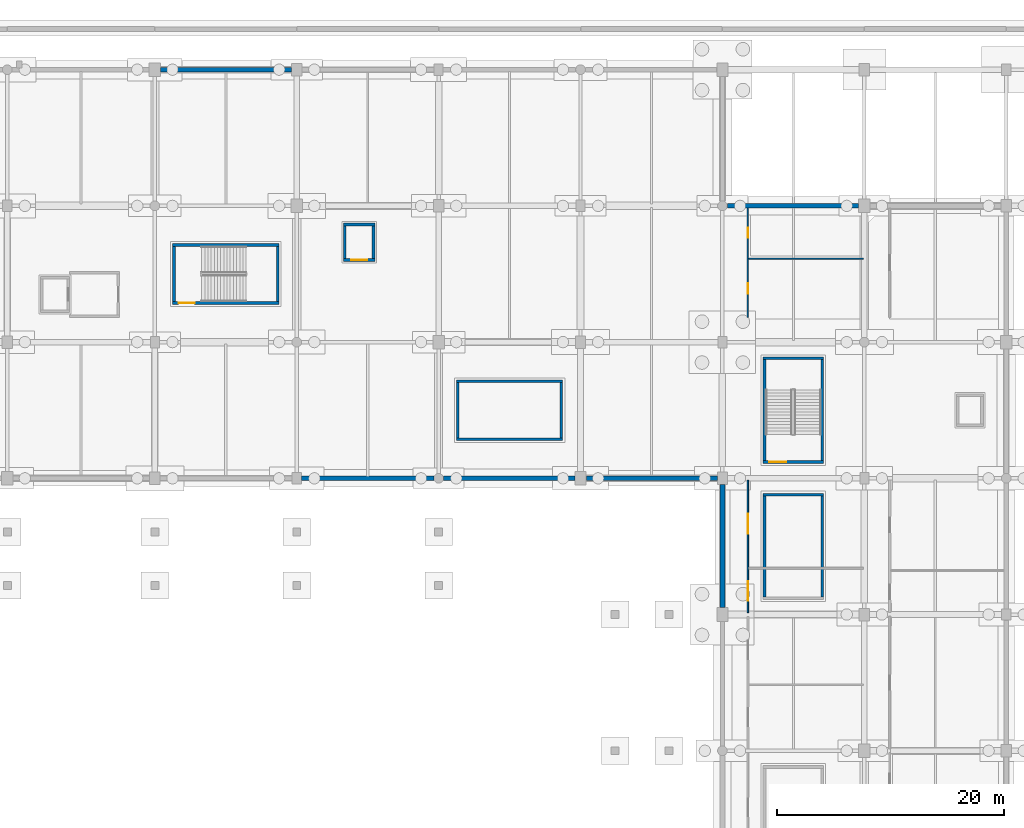
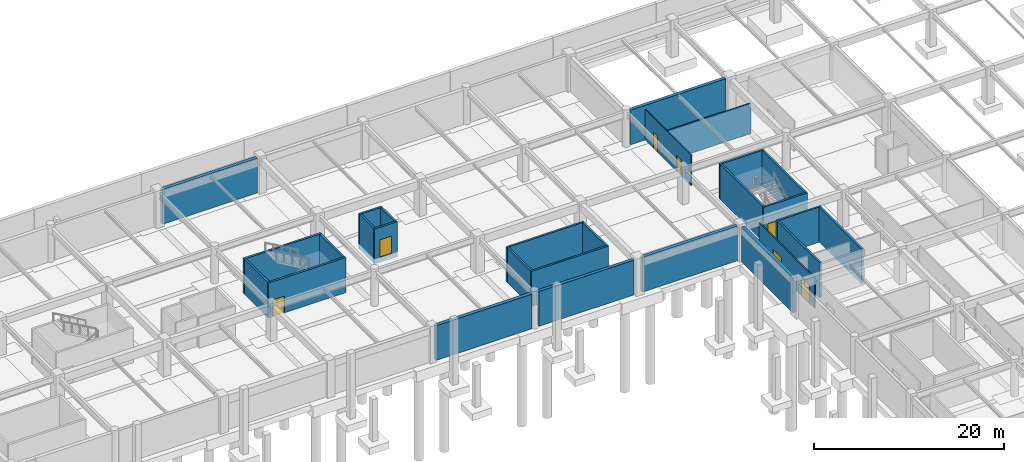
# One storey, part 38 of 56: 28 walls, 7 doors, 7 openings.
"""IFC4 building model written with IfcOpenShell, lengths in metres."""

from ifc_helpers import new_model, si_unit, direction, frame, frame_2d, origin, place, context, subcontext, project, spatial, rectangle, extrude, material, layer, layer_set, type_object, element, fill, save


model = new_model("IFC4")

# Units and contexts
model_context = context("Model", 3, precision=1e-05, world=origin(), true_north=direction((0.0, 1.0)))
body_context = subcontext(model_context, "Body", "Model", "MODEL_VIEW")
ifc_project = project(units=[si_unit("LENGTHUNIT", "METRE"), si_unit("AREAUNIT", "SQUARE_METRE"), si_unit("VOLUMEUNIT", "CUBIC_METRE"), si_unit("PLANEANGLEUNIT", "RADIAN"), si_unit("MASSUNIT", "GRAM", prefix="KILO")], contexts=[model_context])

# Site, building, storey
site_placement = place(None, origin())
site = spatial("IfcSite", under=ifc_project, at=site_placement, CompositionType="ELEMENT")
building_placement = place(site_placement, origin())
building = spatial("IfcBuilding", under=site, at=building_placement, Name="Kazenohara Klinker Stadium", CompositionType="ELEMENT")
storey_placement = place(building_placement, frame((0.0, 0.0, -4.800048828125)))
storey = spatial("IfcBuildingStorey", under=building, at=storey_placement, Name="B01", CompositionType="ELEMENT", Elevation=-4.800048828125)

# Walls
ifc_material_1 = material(Name="Concrete C40/50", Category="concrete")
ifc_layer_1 = layer(ifc_material_1, 0.3798828125)
ifc_layer_set_1 = layer_set([ifc_layer_1], Name="Concrete C40/50")
wall_type_1 = type_object("IfcWallType", Name="WAL-B01-RET380", PredefinedType="STANDARD", material=ifc_layer_set_1)
for number, where, z_axis, x_axis, name in (
    (1, (150.428955078125, 132.0, 0.0), (0.0, 0.0, 1.0), (1.0, 0.0, 0.0), "Basement perimeter retaining wall RW02 X-12-11"),
    (2, (175.428955078125, 156.0, 0.0), (0.0, 0.0, 1.0), (1.0, 0.0, 0.0), "Basement perimeter retaining wall RW02 X-14-13"),
):
    element("IfcWall", number, at=place(storey_placement, frame(where, z_axis=z_axis, x_axis=x_axis)), inside=storey, type_object=wall_type_1, Name=name, PredefinedType="STANDARD", context=body_context, shape_type="SweptSolid", body=[
        extrude(rectangle(XDim=11.567138671875, YDim=0.3798828125, at=frame_2d((5.78369140625, 0.0))), origin(), (0.0, 0.0, 1.0), 4.4599609375),
    ])
ifc_layer_2 = layer(ifc_material_1, 0.419921875)
ifc_layer_set_2 = layer_set([ifc_layer_2], Name="Concrete C40/50")
wall_type_2 = type_object("IfcWallType", Name="WAL-B01-RET420", PredefinedType="STANDARD", material=ifc_layer_set_2)
wall_1_placement = place(storey_placement, frame((125.50390625, 168.0, 0.0), z_axis=(0.0, 0.0, 1.0), x_axis=(1.0, 0.0, 0.0)))
element("IfcWall", 3, at=wall_1_placement, inside=storey, type_object=wall_type_2, Name="Basement perimeter retaining wall RW01 X-10-14", PredefinedType="STANDARD", context=body_context, shape_type="SweptSolid", body=[
    extrude(rectangle(XDim=11.5419921875, YDim=0.419921875, at=frame_2d((5.77099609375, 0.0))), origin(), (0.0, 0.0, 1.0), 4.4599609375),
])
wall_2_placement = place(storey_placement, frame((137.904052734375, 132.0, 0.0), z_axis=(0.0, 0.0, 1.0), x_axis=(1.0, 0.0, 0.0)))
element("IfcWall", 4, at=wall_2_placement, inside=storey, type_object=wall_type_2, Name="Basement perimeter retaining wall RW01 X-11-11", PredefinedType="STANDARD", context=body_context, shape_type="SweptSolid", body=[
    extrude(rectangle(XDim=11.6669921875, YDim=0.419921875, at=frame_2d((5.83349609375, 0.0))), origin(), (0.0, 0.0, 1.0), 4.4599609375),
])
wall_3_placement = place(storey_placement, frame((163.00390625, 132.0, 0.0), z_axis=(0.0, 0.0, 1.0), x_axis=(1.0, 0.0, 0.0)))
element("IfcWall", 5, at=wall_3_placement, inside=storey, type_object=wall_type_2, Name="Basement perimeter retaining wall RW01 X-13-11", PredefinedType="STANDARD", context=body_context, shape_type="SweptSolid", body=[
    extrude(rectangle(XDim=11.5419921875, YDim=0.419921875, at=frame_2d((5.77099609375, 0.0))), origin(), (0.0, 0.0, 1.0), 4.4599609375),
])
wall_4_placement = place(storey_placement, frame((175.0, 120.60400390625, 0.0), z_axis=(0.0, 0.0, 1.0), x_axis=(0.0, 1.0, 0.0)))
element("IfcWall", 6, at=wall_4_placement, inside=storey, type_object=wall_type_2, Name="Basement perimeter retaining wall RW01 Y-14-10", PredefinedType="STANDARD", context=body_context, shape_type="SweptSolid", body=[
    extrude(rectangle(XDim=10.842041015625, YDim=0.419921875, at=frame_2d((5.4208984375, 0.0))), origin(), (0.0, 0.0, 1.0), 4.4599609375),
])

# Wall, opening, door
ifc_layer_3 = layer(ifc_material_1, 0.22998046875)
ifc_layer_set_3 = layer_set([ifc_layer_3], Name="Concrete C40/50")
wall_type_3 = type_object("IfcWallType", Name="WAL-CORE-230", PredefinedType="SHEAR", material=ifc_layer_set_3)
wall_5_placement = place(storey_placement, frame((178.590087890625, 133.43505859375, 0.0), z_axis=(0.0, 0.0, 1.0), x_axis=(1.0, 0.0, 0.0)))
wall_5 = element("IfcWall", 7, at=wall_5_placement, inside=storey, type_object=wall_type_3, Name="Stairwell shear wall ST12 B01 South", PredefinedType="SHEAR", context=body_context, shape_type="SweptSolid", body=[
    extrude(rectangle(XDim=5.31982421875, YDim=0.22998046875, at=frame_2d((2.659912109375, 0.0))), origin(), (0.0, 0.0, 1.0), 4.5),
])
opening_1_placement = place(wall_5_placement, frame((0.550048828125, 0.0, 0.0)))
opening_1 = element("IfcOpeningElement", 8, at=opening_1_placement, cuts=wall_5, Name="Opening SD02", PredefinedType="OPENING", context=body_context, shape_type="SweptSolid", body=[
    extrude(rectangle(XDim=1.5, YDim=2.199951171875, at=frame_2d((0.75, 1.10009765625))), frame((0.0, 0.125, 0.0), z_axis=(0.0, -1.0, 0.0), x_axis=(1.0, 0.0, 0.0)), (0.0, 0.0, 1.0), 0.25),
])
ifc_material_2 = material(Name="Flush painted steel fire door leaf", Category="steel")
door_type_1 = type_object("IfcDoorType", Name="DR-STR-1500x2200", OperationType="NOTDEFINED", PredefinedType="DOOR", material=ifc_material_2)
door_1_placement = place(opening_1_placement, origin())
door_1 = element("IfcDoor", 9, at=door_1_placement, inside=storey, type_object=door_type_1, Name="Escape stairwell fire door ST12-B01", OperationType="SINGLE_SWING_RIGHT", OverallHeight=2.199951171875, OverallWidth=1.5, PredefinedType="DOOR", context=body_context, shape_type="SweptSolid", body=[
    extrude(rectangle(XDim=1.5, YDim=2.199951171875, at=frame_2d((0.75, 1.10009765625))), frame((0.0, 0.02490234375, 0.0), z_axis=(0.0, -1.0, 0.0), x_axis=(1.0, 0.0, 0.0)), (0.0, 0.0, 1.0), 0.050048828125),
])
fill(opening_1, door_1)

# Walls
wall_6_placement = place(storey_placement, frame((178.590087890625, 142.56494140625, 0.0), z_axis=(0.0, 0.0, 1.0), x_axis=(1.0, 0.0, 0.0)))
element("IfcWall", 10, at=wall_6_placement, inside=storey, type_object=wall_type_3, Name="Stairwell shear wall ST12 B01 North", PredefinedType="SHEAR", context=body_context, shape_type="SweptSolid", body=[
    extrude(rectangle(XDim=5.31982421875, YDim=0.22998046875, at=frame_2d((2.659912109375, 0.0))), origin(), (0.0, 0.0, 1.0), 4.5),
])
for number, where, z_axis, x_axis, name in (
    (11, (178.705078125, 133.550048828125, 0.0), (0.0, 0.0, 1.0), (0.0, 1.0, 0.0), "Stairwell shear wall ST12 B01 West"),
    (12, (183.794921875, 133.550048828125, 0.0), (0.0, 0.0, 1.0), (0.0, 1.0, 0.0), "Stairwell shear wall ST12 B01 East"),
):
    element("IfcWall", number, at=place(storey_placement, frame(where, z_axis=z_axis, x_axis=x_axis)), inside=storey, type_object=wall_type_3, Name=name, PredefinedType="SHEAR", context=body_context, shape_type="SweptSolid", body=[
        extrude(rectangle(XDim=8.89990234375, YDim=0.22998046875, at=frame_2d((4.449951171875, 0.0))), origin(), (0.0, 0.0, 1.0), 4.5),
    ])
for number, where, z_axis, x_axis, name in (
    (13, (151.570068359375, 135.455078125, 0.0), (0.0, 0.0, 1.0), (1.0, 0.0, 0.0), "Stairwell shear wall ST20 B01 South"),
    (14, (151.570068359375, 140.544921875, 0.0), (0.0, 0.0, 1.0), (1.0, 0.0, 0.0), "Stairwell shear wall ST20 B01 North"),
):
    element("IfcWall", number, at=place(storey_placement, frame(where, z_axis=z_axis, x_axis=x_axis)), inside=storey, type_object=wall_type_3, Name=name, PredefinedType="SHEAR", context=body_context, shape_type="SweptSolid", body=[
        extrude(rectangle(XDim=9.35986328125, YDim=0.22998046875, at=frame_2d((4.679931640625, 0.0))), origin(), (0.0, 0.0, 1.0), 4.5),
    ])
for number, where, z_axis, x_axis, name in (
    (15, (151.68505859375, 135.570068359375, 0.0), (0.0, 0.0, 1.0), (0.0, 1.0, 0.0), "Stairwell shear wall ST20 B01 West"),
    (16, (160.81494140625, 135.570068359375, 0.0), (0.0, 0.0, 1.0), (0.0, 1.0, 0.0), "Stairwell shear wall ST20 B01 East"),
):
    element("IfcWall", number, at=place(storey_placement, frame(where, z_axis=z_axis, x_axis=x_axis)), inside=storey, type_object=wall_type_3, Name=name, PredefinedType="SHEAR", context=body_context, shape_type="SweptSolid", body=[
        extrude(rectangle(XDim=4.85986328125, YDim=0.22998046875, at=frame_2d((2.429931640625, 0.0))), origin(), (0.0, 0.0, 1.0), 4.5),
    ])
wall_7_placement = place(storey_placement, frame((178.590087890625, 130.56494140625, 0.0), z_axis=(0.0, 0.0, 1.0), x_axis=(1.0, 0.0, 0.0)))
element("IfcWall", 17, at=wall_7_placement, inside=storey, type_object=wall_type_3, Name="Stairwell shear wall ST24 B01 North", PredefinedType="SHEAR", context=body_context, shape_type="SweptSolid", body=[
    extrude(rectangle(XDim=5.31982421875, YDim=0.22998046875, at=frame_2d((2.659912109375, 0.0))), origin(), (0.0, 0.0, 1.0), 4.5),
])
for number, where, z_axis, x_axis, name in (
    (18, (178.705078125, 121.550048828125, 0.0), (0.0, 0.0, 1.0), (0.0, 1.0, 0.0), "Stairwell shear wall ST24 B01 West"),
    (19, (183.794921875, 121.550048828125, 0.0), (0.0, 0.0, 1.0), (0.0, 1.0, 0.0), "Stairwell shear wall ST24 B01 East"),
):
    element("IfcWall", number, at=place(storey_placement, frame(where, z_axis=z_axis, x_axis=x_axis)), inside=storey, type_object=wall_type_3, Name=name, PredefinedType="SHEAR", context=body_context, shape_type="SweptSolid", body=[
        extrude(rectangle(XDim=8.89990234375, YDim=0.22998046875, at=frame_2d((4.449951171875, 0.0))), origin(), (0.0, 0.0, 1.0), 4.5),
    ])

# Wall, opening, door
wall_8_placement = place(storey_placement, frame((141.6201171875, 151.235107421875, -0.64990234375), z_axis=(0.0, 0.0, 1.0), x_axis=(1.0, 0.0, 0.0)))
wall_8 = element("IfcWall", 20, at=wall_8_placement, inside=storey, type_object=wall_type_3, Name="Elevator shaft wall LG02 B01 South", PredefinedType="SHEAR", context=body_context, shape_type="SweptSolid", body=[
    extrude(rectangle(XDim=2.759765625, YDim=0.22998046875, at=frame_2d((1.3798828125, 0.0))), origin(), (0.0, 0.0, 1.0), 4.5),
])
opening_2_placement = place(wall_8_placement, frame((0.679931640625, 0.0, 0.64990234375)))
opening_2 = element("IfcOpeningElement", 21, at=opening_2_placement, cuts=wall_8, Name="Opening LD03", PredefinedType="OPENING", context=body_context, shape_type="SweptSolid", body=[
    extrude(rectangle(XDim=1.39990234375, YDim=2.25, at=frame_2d((0.699951171875, 1.125))), frame((0.0, 0.125, 0.0), z_axis=(0.0, -1.0, 0.0), x_axis=(1.0, 0.0, 0.0)), (0.0, 0.0, 1.0), 0.25),
])
ifc_material_3 = material(Name="Heavy-duty stainless steel sliding goods landing door", Category="steel")
door_type_2 = type_object("IfcDoorType", Name="DR-LD03-1400x2250", OperationType="NOTDEFINED", PredefinedType="DOOR", material=ifc_material_3)
door_2_placement = place(opening_2_placement, origin())
door_2 = element("IfcDoor", 22, at=door_2_placement, inside=storey, type_object=door_type_2, Name="Elevator sliding landing door LG02-B01", OperationType="DOUBLE_DOOR_SLIDING", OverallHeight=2.25, OverallWidth=1.39990234375, PredefinedType="DOOR", context=body_context, shape_type="SweptSolid", body=[
    extrude(rectangle(XDim=1.39990234375, YDim=2.25, at=frame_2d((0.699951171875, 1.125))), frame((0.0, 0.02490234375, 0.0), z_axis=(0.0, -1.0, 0.0), x_axis=(1.0, 0.0, 0.0)), (0.0, 0.0, 1.0), 0.050048828125),
])
fill(opening_2, door_2)

# Walls
wall_9_placement = place(storey_placement, frame((141.6201171875, 154.364990234375, -0.64990234375), z_axis=(0.0, 0.0, 1.0), x_axis=(1.0, 0.0, 0.0)))
element("IfcWall", 23, at=wall_9_placement, inside=storey, type_object=wall_type_3, Name="Elevator shaft wall LG02 B01 North", PredefinedType="SHEAR", context=body_context, shape_type="SweptSolid", body=[
    extrude(rectangle(XDim=2.759765625, YDim=0.22998046875, at=frame_2d((1.3798828125, 0.0))), origin(), (0.0, 0.0, 1.0), 4.5),
])
for number, where, z_axis, x_axis, name in (
    (24, (141.735107421875, 151.35009765625, -0.64990234375), (0.0, 0.0, 1.0), (0.0, 1.0, 0.0), "Elevator shaft wall LG02 B01 West"),
    (25, (144.264892578125, 151.35009765625, -0.64990234375), (0.0, 0.0, 1.0), (0.0, 1.0, 0.0), "Elevator shaft wall LG02 B01 East"),
):
    element("IfcWall", number, at=place(storey_placement, frame(where, z_axis=z_axis, x_axis=x_axis)), inside=storey, type_object=wall_type_3, Name=name, PredefinedType="SHEAR", context=body_context, shape_type="SweptSolid", body=[
        extrude(rectangle(XDim=2.89990234375, YDim=0.22998046875, at=frame_2d((1.449951171875, 0.0))), origin(), (0.0, 0.0, 1.0), 4.5),
    ])

# Wall, opening, door
ifc_layer_4 = layer(ifc_material_1, 0.25)
ifc_layer_set_4 = layer_set([ifc_layer_4], Name="Concrete C40/50")
wall_type_4 = type_object("IfcWallType", Name="WAL-CORE-250", PredefinedType="SHEAR", material=ifc_layer_set_4)
wall_10_placement = place(storey_placement, frame((126.550048828125, 147.455078125, 0.0), z_axis=(0.0, 0.0, 1.0), x_axis=(1.0, 0.0, 0.0)))
wall_10 = element("IfcWall", 26, at=wall_10_placement, inside=storey, type_object=wall_type_4, Name="Stairwell shear wall ST11 B01 South", PredefinedType="SHEAR", context=body_context, shape_type="SweptSolid", body=[
    extrude(rectangle(XDim=9.39990234375, YDim=0.25, at=frame_2d((4.699951171875, 0.0))), origin(), (0.0, 0.0, 1.0), 4.5),
])
opening_3_placement = place(wall_10_placement, frame((0.550048828125, 0.0, 0.0)))
opening_3 = element("IfcOpeningElement", 27, at=opening_3_placement, cuts=wall_10, Name="Opening SD01", PredefinedType="OPENING", context=body_context, shape_type="SweptSolid", body=[
    extrude(rectangle(XDim=1.39990234375, YDim=2.14990234375, at=frame_2d((0.699951171875, 1.074951171875))), frame((0.0, 0.135009765625, 0.0), z_axis=(0.0, -1.0, 0.0), x_axis=(1.0, 0.0, 0.0)), (0.0, 0.0, 1.0), 0.27001953125),
])
door_type_3 = type_object("IfcDoorType", Name="DR-STR-1400x2150", OperationType="NOTDEFINED", PredefinedType="DOOR", material=ifc_material_2)
door_3_placement = place(opening_3_placement, origin())
door_3 = element("IfcDoor", 28, at=door_3_placement, inside=storey, type_object=door_type_3, Name="Escape stairwell fire door ST11-B01", OperationType="SINGLE_SWING_LEFT", OverallHeight=2.14990234375, OverallWidth=1.39990234375, PredefinedType="DOOR", context=body_context, shape_type="SweptSolid", body=[
    extrude(rectangle(XDim=1.39990234375, YDim=2.14990234375, at=frame_2d((0.699951171875, 1.074951171875))), frame((0.0, 0.02490234375, 0.0), z_axis=(0.0, -1.0, 0.0), x_axis=(1.0, 0.0, 0.0)), (0.0, 0.0, 1.0), 0.050048828125),
])
fill(opening_3, door_3)

# Walls
wall_11_placement = place(storey_placement, frame((126.550048828125, 152.544921875, 0.0), z_axis=(0.0, 0.0, 1.0), x_axis=(1.0, 0.0, 0.0)))
element("IfcWall", 29, at=wall_11_placement, inside=storey, type_object=wall_type_4, Name="Stairwell shear wall ST11 B01 North", PredefinedType="SHEAR", context=body_context, shape_type="SweptSolid", body=[
    extrude(rectangle(XDim=9.39990234375, YDim=0.25, at=frame_2d((4.699951171875, 0.0))), origin(), (0.0, 0.0, 1.0), 4.5),
])
for number, where, z_axis, x_axis, name in (
    (30, (126.675048828125, 147.580078125, 0.0), (0.0, 0.0, 1.0), (0.0, 1.0, 0.0), "Stairwell shear wall ST11 B01 West"),
    (31, (135.824951171875, 147.580078125, 0.0), (0.0, 0.0, 1.0), (0.0, 1.0, 0.0), "Stairwell shear wall ST11 B01 East"),
):
    element("IfcWall", number, at=place(storey_placement, frame(where, z_axis=z_axis, x_axis=x_axis)), inside=storey, type_object=wall_type_4, Name=name, PredefinedType="SHEAR", context=body_context, shape_type="SweptSolid", body=[
        extrude(rectangle(XDim=4.83984375, YDim=0.25, at=frame_2d((2.419921875, 0.0))), origin(), (0.0, 0.0, 1.0), 4.5),
    ])

# Wall, openings, doors
ifc_material_4 = material(Name="Fire-rated gypsum board on acoustic studs", Category="gypsum")
ifc_layer_5 = layer(ifc_material_4, 0.110107421875)
ifc_layer_set_5 = layer_set([ifc_layer_5], Name="Fire-rated gypsum board on acoustic studs")
wall_type_5 = type_object("IfcWallType", Name="WAL-INT-P110", PredefinedType="PARTITIONING", material=ifc_layer_set_5)
wall_12_placement = place(storey_placement, frame((177.239990234375, 146.169921875, 0.0), z_axis=(0.0, 0.0, 1.0), x_axis=(0.0, 1.0, 0.0)))
wall_12 = element("IfcWall", 32, at=wall_12_placement, inside=storey, type_object=wall_type_5, Name="Interior partition wall PT01 SPC-B01-14-12-1-1", PredefinedType="PARTITIONING", context=body_context, shape_type="SweptSolid", body=[
    extrude(rectangle(XDim=9.63818359375, YDim=0.110107421875, at=frame_2d((4.819091796875, 0.0))), origin(), (0.0, 0.0, 1.0), 3.920166015625),
])
opening_4_placement = place(wall_12_placement, frame((2.99658203125, 0.0, 0.0), z_axis=(0.0, 0.0, 1.0), x_axis=(-1.0, 0.0, 0.0)))
opening_4 = element("IfcOpeningElement", 33, at=opening_4_placement, cuts=wall_12, Name="Opening ID01", PredefinedType="OPENING", context=body_context, shape_type="SweptSolid", body=[
    extrude(rectangle(XDim=0.89990234375, YDim=2.06005859375, at=frame_2d((0.449951171875, 1.030029296875))), frame((0.0, 0.06494140625, 0.0), z_axis=(0.0, -1.0, 0.0), x_axis=(1.0, 0.0, 0.0)), (0.0, 0.0, 1.0), 0.130126953125),
])
opening_5_placement = place(wall_12_placement, frame((7.921630859375, 0.0, 0.0), z_axis=(0.0, 0.0, 1.0), x_axis=(-1.0, 0.0, 0.0)))
opening_5 = element("IfcOpeningElement", 34, at=opening_5_placement, cuts=wall_12, Name="Opening ID02", PredefinedType="OPENING", context=body_context, shape_type="SweptSolid", body=[
    extrude(rectangle(XDim=0.919921875, YDim=2.10009765625, at=frame_2d((0.4599609375, 1.050048828125))), frame((0.0, 0.06494140625, 0.0), z_axis=(0.0, -1.0, 0.0), x_axis=(1.0, 0.0, 0.0)), (0.0, 0.0, 1.0), 0.130126953125),
])
ifc_material_5 = material(Name="Solid-core Hokkaido oak fire door", Category="wood")
door_type_4 = type_object("IfcDoorType", Name="DR-INT-01", OperationType="NOTDEFINED", PredefinedType="DOOR", material=ifc_material_5)
door_4_placement = place(opening_4_placement, origin())
door_4 = element("IfcDoor", 35, at=door_4_placement, inside=storey, type_object=door_type_4, Name="Interior door ID01 Indoor Turf Sprint Training Arena B01-1412A", OperationType="SINGLE_SWING_RIGHT", OverallHeight=2.06005859375, OverallWidth=0.89990234375, PredefinedType="DOOR", context=body_context, shape_type="SweptSolid", body=[
    extrude(rectangle(XDim=0.89990234375, YDim=2.06005859375, at=frame_2d((0.449951171875, 1.030029296875))), frame((0.0, 0.02490234375, 0.0), z_axis=(0.0, -1.0, 0.0), x_axis=(1.0, 0.0, 0.0)), (0.0, 0.0, 1.0), 0.050048828125),
])
fill(opening_4, door_4)
door_type_5 = type_object("IfcDoorType", Name="DR-INT-02", OperationType="NOTDEFINED", PredefinedType="DOOR", material=ifc_material_5)
door_5_placement = place(opening_5_placement, origin())
door_5 = element("IfcDoor", 36, at=door_5_placement, inside=storey, type_object=door_type_5, Name="Interior door ID02 Match Officials Dressing Room B01-1412B", OperationType="SINGLE_SWING_LEFT", OverallHeight=2.10009765625, OverallWidth=0.919921875, PredefinedType="DOOR", context=body_context, shape_type="SweptSolid", body=[
    extrude(rectangle(XDim=0.919921875, YDim=2.10009765625, at=frame_2d((0.4599609375, 1.050048828125))), frame((0.0, 0.02490234375, 0.0), z_axis=(0.0, -1.0, 0.0), x_axis=(1.0, 0.0, 0.0)), (0.0, 0.0, 1.0), 0.050048828125),
])
fill(opening_5, door_5)

# Wall
ifc_layer_6 = layer(ifc_material_4, 0.1201171875)
ifc_layer_set_6 = layer_set([ifc_layer_6], Name="Fire-rated gypsum board on acoustic studs")
wall_type_6 = type_object("IfcWallType", Name="WAL-INT-P120", PredefinedType="PARTITIONING", material=ifc_layer_set_6)
wall_13_placement = place(storey_placement, frame((177.300048828125, 151.343505859375, 0.0), z_axis=(0.0, 0.0, 1.0), x_axis=(1.0, 0.0, 0.0)))
element("IfcWall", 37, at=wall_13_placement, inside=storey, type_object=wall_type_6, Name="Interior partition wall PT02 SPC-B01-14-12-1-2", PredefinedType="PARTITIONING", context=body_context, shape_type="SweptSolid", body=[
    extrude(rectangle(XDim=10.119873046875, YDim=0.1201171875, at=frame_2d((5.06005859375, 0.0))), origin(), (0.0, 0.0, 1.0), 3.920166015625),
])

# Wall, openings, doors
ifc_layer_7 = layer(ifc_material_4, 0.139892578125)
ifc_layer_set_7 = layer_set([ifc_layer_7], Name="Fire-rated gypsum board on acoustic studs")
wall_type_7 = type_object("IfcWallType", Name="WAL-INT-P140", PredefinedType="PARTITIONING", material=ifc_layer_set_7)
wall_14_placement = place(storey_placement, frame((177.239990234375, 120.159912109375, 0.0), z_axis=(0.0, 0.0, 1.0), x_axis=(0.0, 1.0, 0.0)))
wall_14 = element("IfcWall", 38, at=wall_14_placement, inside=storey, type_object=wall_type_7, Name="Interior partition wall PT03 SPC-B01-14-10-1-1", PredefinedType="PARTITIONING", context=body_context, shape_type="SweptSolid", body=[
    extrude(rectangle(XDim=11.68017578125, YDim=0.139892578125, at=frame_2d((5.840087890625, 0.0))), origin(), (0.0, 0.0, 1.0), 3.920166015625),
])
opening_6_placement = place(wall_14_placement, frame((2.772216796875, 0.0, 0.0), z_axis=(0.0, 0.0, 1.0), x_axis=(-1.0, 0.0, 0.0)))
opening_6 = element("IfcOpeningElement", 39, at=opening_6_placement, cuts=wall_14, Name="Opening ID25", PredefinedType="OPENING", context=body_context, shape_type="SweptSolid", body=[
    extrude(rectangle(XDim=1.699951171875, YDim=2.320068359375, at=frame_2d((0.85009765625, 1.16015625))), frame((0.0, 0.080078125, 0.0), z_axis=(0.0, -1.0, 0.0), x_axis=(1.0, 0.0, 0.0)), (0.0, 0.0, 1.0), 0.159912109375),
])
opening_7_placement = place(wall_14_placement, frame((8.722412109375, 0.0, 0.0), z_axis=(0.0, 0.0, 1.0), x_axis=(-1.0, 0.0, 0.0)))
opening_7 = element("IfcOpeningElement", 40, at=opening_7_placement, cuts=wall_14, Name="Opening ID26", PredefinedType="OPENING", context=body_context, shape_type="SweptSolid", body=[
    extrude(rectangle(XDim=1.760009765625, YDim=2.300048828125, at=frame_2d((0.8798828125, 1.14990234375))), frame((0.0, 0.080078125, 0.0), z_axis=(0.0, -1.0, 0.0), x_axis=(1.0, 0.0, 0.0)), (0.0, 0.0, 1.0), 0.159912109375),
])
ifc_material_6 = material(Name="Painted steel plant fire door", Category="steel")
door_type_6 = type_object("IfcDoorType", Name="DR-INT-25", OperationType="NOTDEFINED", PredefinedType="DOOR", material=ifc_material_6)
door_6_placement = place(opening_6_placement, origin())
door_6 = element("IfcDoor", 41, at=door_6_placement, inside=storey, type_object=door_type_6, Name="Interior door ID25 Emergency Diesel Generator Plant B01-1410A", OperationType="SINGLE_SWING_RIGHT", OverallHeight=2.320068359375, OverallWidth=1.699951171875, PredefinedType="DOOR", context=body_context, shape_type="SweptSolid", body=[
    extrude(rectangle(XDim=1.699951171875, YDim=2.320068359375, at=frame_2d((0.85009765625, 1.16015625))), frame((0.0, 0.02490234375, 0.0), z_axis=(0.0, -1.0, 0.0), x_axis=(1.0, 0.0, 0.0)), (0.0, 0.0, 1.0), 0.050048828125),
])
fill(opening_6, door_6)
door_type_7 = type_object("IfcDoorType", Name="DR-INT-26", OperationType="NOTDEFINED", PredefinedType="DOOR", material=ifc_material_6)
door_7_placement = place(opening_7_placement, origin())
door_7 = element("IfcDoor", 42, at=door_7_placement, inside=storey, type_object=door_type_7, Name="Interior door ID26 Mixed Zone Broadcast Interview Studio B01-1410B", OperationType="SINGLE_SWING_LEFT", OverallHeight=2.300048828125, OverallWidth=1.760009765625, PredefinedType="DOOR", context=body_context, shape_type="SweptSolid", body=[
    extrude(rectangle(XDim=1.760009765625, YDim=2.300048828125, at=frame_2d((0.8798828125, 1.14990234375))), frame((0.0, 0.02490234375, 0.0), z_axis=(0.0, -1.0, 0.0), x_axis=(1.0, 0.0, 0.0)), (0.0, 0.0, 1.0), 0.050048828125),
])
fill(opening_7, door_7)

save(model, "model.ifc")
